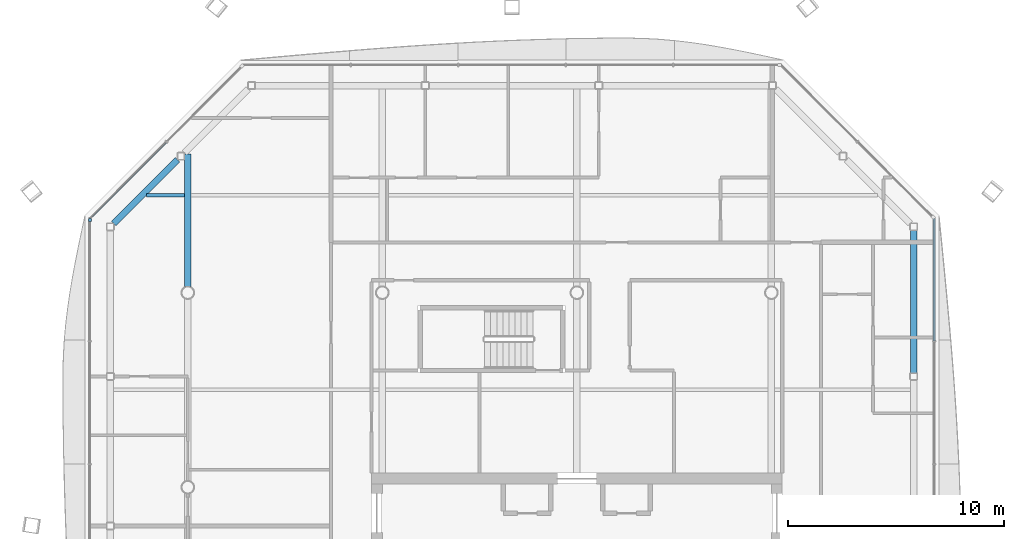
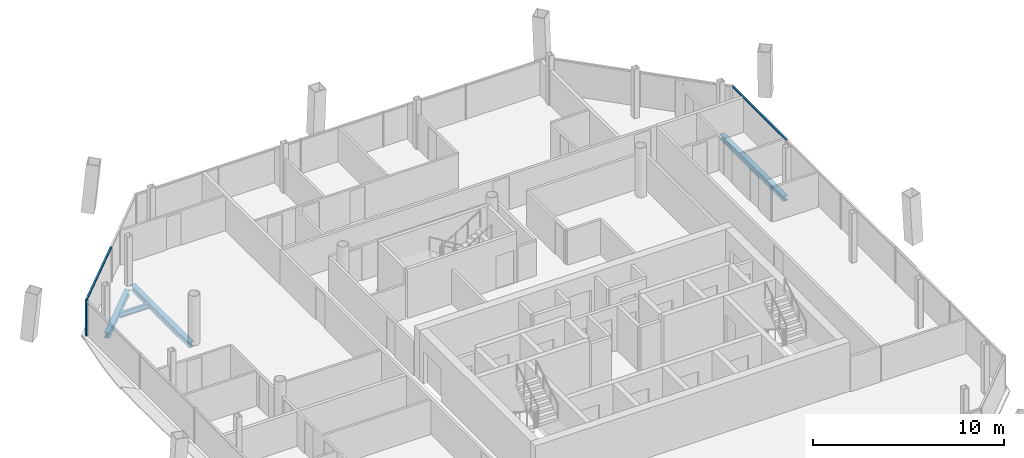
# One storey, part 8 of 19: 4 beams, 3 members, 3 elements without a shape of their own.
"""IFC4 building model written with IfcOpenShell, lengths in metres."""

from ifc_helpers import new_model, si_unit, direction, frame, origin, origin_2d, place, context, subcontext, project, spatial, rectangle, i_section, extrude, material, material_profile, profile_set, type_object, element, aggregate, save


model = new_model("IFC4")

# Units and contexts
model_context = context("Model", 3, precision=1e-05, world=origin(), true_north=direction((0.0, 1.0)))
body_context = subcontext(model_context, "Body", "Model", "MODEL_VIEW")
ifc_project = project(units=[si_unit("LENGTHUNIT", "METRE"), si_unit("AREAUNIT", "SQUARE_METRE"), si_unit("VOLUMEUNIT", "CUBIC_METRE"), si_unit("PLANEANGLEUNIT", "RADIAN"), si_unit("MASSUNIT", "GRAM", prefix="KILO")], contexts=[model_context])

# Site, building, storey
site_placement = place(None, origin())
site = spatial("IfcSite", under=ifc_project, at=site_placement, CompositionType="ELEMENT")
building_placement = place(site_placement, origin())
building = spatial("IfcBuilding", under=site, at=building_placement, Name="Tskaro Facet Tower", CompositionType="ELEMENT")
storey_placement = place(building_placement, frame((0.0, 0.0, 206.85009765625)))
storey = spatial("IfcBuildingStorey", under=building, at=storey_placement, Name="L53", CompositionType="ELEMENT", Elevation=206.85009765625)

# Curtain wall, member
ifc_material_1 = material(Name="Bronze anodised aluminium 6063-T6", Category="aluminium")
curtain_wall_type = type_object("IfcCurtainWallType", Name="Bronze residence curtain wall (FW3)", PredefinedType="NOTDEFINED", material=ifc_material_1)
curtain_wall_1_placement = place(storey_placement, origin())
curtain_wall_1 = element("IfcCurtainWall", 1, at=curtain_wall_1_placement, inside=storey, type_object=curtain_wall_type, Name="FW3 west facet L53", PredefinedType="NOTDEFINED")
ifc_material_profile_1 = material_profile(ifc_material_1, rectangle(XDim=0.139892578125, YDim=0.139892578125, at=origin_2d()), Name="Corner post 140x140")
ifc_profile_set_1 = profile_set([ifc_material_profile_1], Name="Bronze anodised aluminium 6063-T6")
member_type_1 = type_object("IfcMemberType", Name="FW3 bronze corner post 140x140", PredefinedType="MULLION", material=ifc_profile_set_1)
member_1_placement = place(storey_placement, frame((-22.532958984375, 12.368896484375, 0.0), z_axis=(0.0, 0.0, 1.0), x_axis=(0.0, -1.0, 0.0)))
member_1 = element("IfcMember", 2, at=member_1_placement, type_object=member_type_1, Name="FW3 west corner post", PredefinedType="MULLION", context=body_context, shape_type="SweptSolid", body=[
    extrude(rectangle(XDim=0.139892578125, YDim=0.139892578125, at=origin_2d()), origin(), (0.0, 0.0, 1.0), 2.239990234375),
])
aggregate(curtain_wall_1, [member_1])

curtain_wall_2_placement = place(storey_placement, origin())
curtain_wall_2 = element("IfcCurtainWall", 3, at=curtain_wall_2_placement, inside=storey, type_object=curtain_wall_type, Name="FW3 east facet L53", PredefinedType="NOTDEFINED")
ifc_material_profile_2 = material_profile(ifc_material_1, rectangle(XDim=0.10009765625, YDim=0.090087890625, at=origin_2d()), Name="Transom 100x90")
ifc_profile_set_2 = profile_set([ifc_material_profile_2], Name="Bronze anodised aluminium 6063-T6")
member_type_2 = type_object("IfcMemberType", Name="FW3 bronze transom 100x90", PredefinedType="USERDEFINED", material=ifc_profile_set_2)
member_2_placement = place(storey_placement, frame((16.532958984375, 6.77099609375, 2.19482421875), z_axis=(0.0, 1.0, 0.0), x_axis=(-1.0, 0.0, 0.0)))
member_2 = element("IfcMember", 4, at=member_2_placement, type_object=member_type_2, Name="FW3 east transom 5.1", ObjectType="TRANSOM", PredefinedType="USERDEFINED", context=body_context, shape_type="SweptSolid", body=[
    extrude(rectangle(XDim=0.10009765625, YDim=0.090087890625, at=origin_2d()), origin(), (0.0, 0.0, 1.0), 5.66796875),
])
aggregate(curtain_wall_2, [member_2])

curtain_wall_3_placement = place(storey_placement, origin())
curtain_wall_3 = element("IfcCurtainWall", 5, at=curtain_wall_3_placement, inside=storey, type_object=curtain_wall_type, Name="FW3 north-west facet L53", PredefinedType="NOTDEFINED")
member_3_placement = place(storey_placement, frame((-19.003662109375, 15.96826171875, 2.19482421875), z_axis=(-0.707106781187, -0.707106781187, 0.0), x_axis=(0.707106781187, -0.707106781187, 0.0)))
member_3 = element("IfcMember", 6, at=member_3_placement, type_object=member_type_2, Name="FW3 north-west transom 2.1", ObjectType="TRANSOM", PredefinedType="USERDEFINED", context=body_context, shape_type="SweptSolid", body=[
    extrude(rectangle(XDim=0.10009765625, YDim=0.090087890625, at=origin_2d()), origin(), (0.0, 0.0, 1.0), 4.9912109375),
])
aggregate(curtain_wall_3, [member_3])

# Beams
ifc_material_2 = material(Name="Steel S355J2", Category="steel")
ifc_material_profile_3 = material_profile(ifc_material_2, i_section(OverallWidth=0.300048828125, OverallDepth=0.320068359375, WebThickness=0.011474609375, FlangeThickness=0.0205078125, FilletRadius=0.027099609375, at=origin_2d()), Name="HE 320 B")
ifc_profile_set_3 = profile_set([ifc_material_profile_3], Name="Steel S355J2")
beam_type_1 = type_object("IfcBeamType", Name="HE 320 B ring beam", PredefinedType="BEAM", material=ifc_profile_set_3)
beam_1_placement = place(storey_placement, frame((15.5830078125, 5.281005859375, -0.300048828125), z_axis=(0.0, 1.0, 0.0), x_axis=(-1.0, 0.0, 0.0)))
element("IfcBeam", 7, at=beam_1_placement, inside=storey, type_object=beam_type_1, Name="HE 320 B EB9-4", PredefinedType="BEAM", context=body_context, shape_type="SweptSolid", body=[
    extrude(i_section(OverallWidth=0.300048828125, OverallDepth=0.320068359375, WebThickness=0.011474609375, FlangeThickness=0.0205078125, FilletRadius=0.027099609375, at=origin_2d()), origin(), (0.0, 0.0, 1.0), 6.610107421875),
])
beam_2_placement = place(storey_placement, frame((-18.474853515625, 15.153076171875, -0.300048828125), z_axis=(-0.70722393913, -0.706989603829, 0.0), x_axis=(0.706989603829, -0.70722393913, 0.0)))
element("IfcBeam", 8, at=beam_2_placement, inside=storey, type_object=beam_type_1, Name="HE 320 B EB16-4", PredefinedType="BEAM", context=body_context, shape_type="SweptSolid", body=[
    extrude(i_section(OverallWidth=0.300048828125, OverallDepth=0.320068359375, WebThickness=0.011474609375, FlangeThickness=0.0205078125, FilletRadius=0.027099609375, at=origin_2d()), origin(), (0.0, 0.0, 1.0), 4.16748046875),
])
ifc_material_profile_4 = material_profile(ifc_material_2, i_section(OverallWidth=0.300048828125, OverallDepth=0.35009765625, WebThickness=0.010009765625, FlangeThickness=0.017578125, FilletRadius=0.027099609375, at=origin_2d()), Name="HE 360 A")
ifc_profile_set_4 = profile_set([ifc_material_profile_4], Name="Steel S355J2")
beam_type_2 = type_object("IfcBeamType", Name="HE 360 A girder", PredefinedType="BEAM", material=ifc_profile_set_4)
beam_3_placement = place(storey_placement, frame((-18.0, 9.27490234375, -0.315185546875), z_axis=(0.0, 1.0, 0.0), x_axis=(-1.0, 0.0, 0.0)))
element("IfcBeam", 9, at=beam_3_placement, inside=storey, type_object=beam_type_2, Name="HE 360 A GB2-4-4", PredefinedType="BEAM", context=body_context, shape_type="SweptSolid", body=[
    extrude(i_section(OverallWidth=0.300048828125, OverallDepth=0.35009765625, WebThickness=0.010009765625, FlangeThickness=0.017578125, FilletRadius=0.027099609375, at=origin_2d()), origin(), (0.0, 0.0, 1.0), 6.14208984375),
])
ifc_material_profile_5 = material_profile(ifc_material_2, i_section(OverallWidth=0.159912109375, OverallDepth=0.330078125, WebThickness=0.007568359375, FlangeThickness=0.011474609375, FilletRadius=0.01806640625, at=origin_2d()), Name="IPE 330")
ifc_profile_set_5 = profile_set([ifc_material_profile_5], Name="Steel S355J2")
beam_type_3 = type_object("IfcBeamType", Name="IPE 330 secondary beam", PredefinedType="BEAM", material=ifc_profile_set_5)
beam_4_placement = place(storey_placement, frame((-19.9169921875, 13.5, -0.30517578125), z_axis=(1.0, 0.0, 0.0), x_axis=(0.0, 1.0, 0.0)))
element("IfcBeam", 10, at=beam_4_placement, inside=storey, type_object=beam_type_3, Name="IPE 330 SB5a-1-4", PredefinedType="BEAM", context=body_context, shape_type="SweptSolid", body=[
    extrude(i_section(OverallWidth=0.159912109375, OverallDepth=0.330078125, WebThickness=0.007568359375, FlangeThickness=0.011474609375, FilletRadius=0.01806640625, at=origin_2d()), origin(), (0.0, 0.0, 1.0), 1.76708984375),
])

save(model, "model.ifc")
